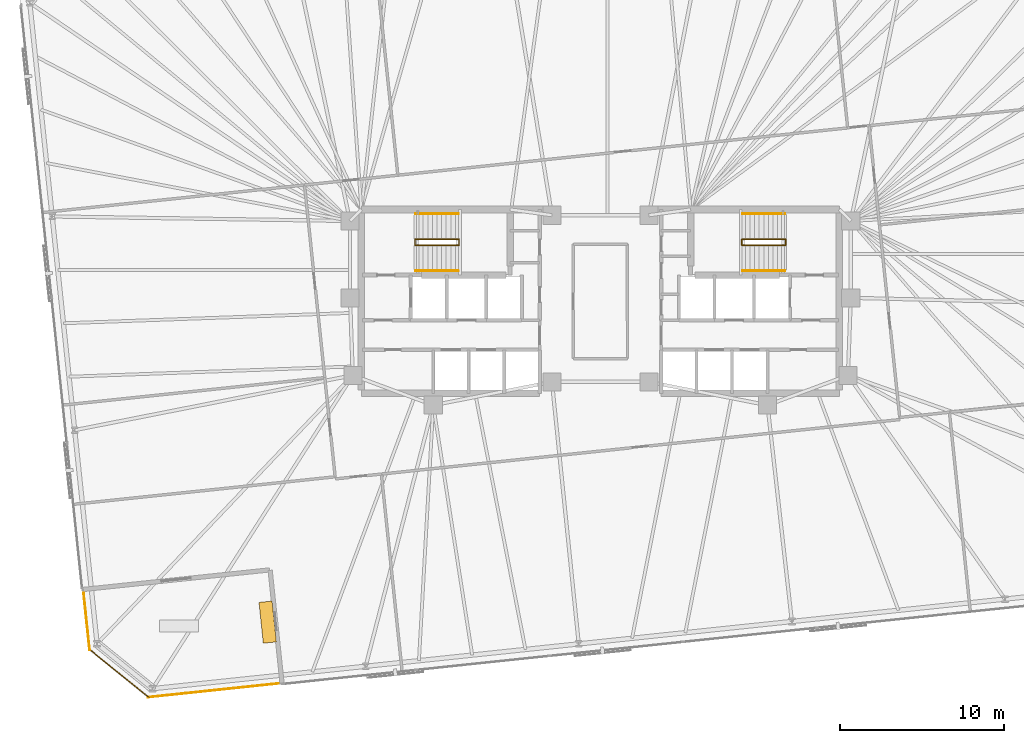
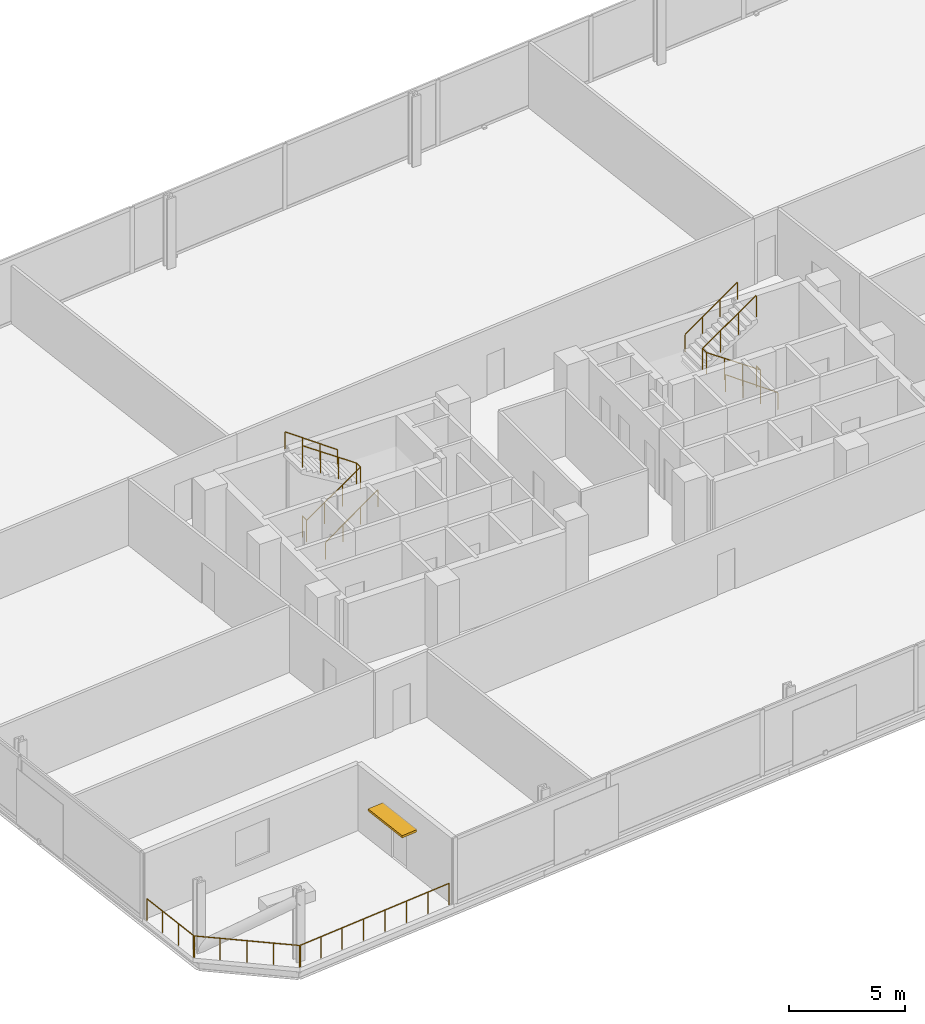
# One storey, part 18 of 18: 9 railings, 1 shading device.
"""IFC4 building model written with IfcOpenShell, lengths in metres."""

from ifc_helpers import new_model, si_unit, direction, frame, origin, origin_2d, place, context, subcontext, project, spatial, rectangle, circle, extrude, material, layer, layer_set, type_object, element, save


model = new_model("IFC4")

# Units and contexts
model_context = context("Model", 3, precision=1e-05, world=origin(), true_north=direction((0.0, 1.0)))
body_context = subcontext(model_context, "Body", "Model", "MODEL_VIEW")
ifc_project = project(units=[si_unit("LENGTHUNIT", "METRE"), si_unit("AREAUNIT", "SQUARE_METRE"), si_unit("VOLUMEUNIT", "CUBIC_METRE"), si_unit("PLANEANGLEUNIT", "RADIAN"), si_unit("MASSUNIT", "GRAM", prefix="KILO")], contexts=[model_context])

# Site, building, storey
site_placement = place(None, origin())
site = spatial("IfcSite", under=ifc_project, at=site_placement, CompositionType="ELEMENT")
building_placement = place(site_placement, origin())
building = spatial("IfcBuilding", under=site, at=building_placement, Name="Menara Jurai Vektor", CompositionType="ELEMENT")
storey_placement = place(building_placement, frame((0.0, 0.0, 113.300048828125)))
storey = spatial("IfcBuildingStorey", under=building, at=storey_placement, Name="L28", CompositionType="ELEMENT", Elevation=113.300048828125)

# Railings
ifc_material_1 = material(Name="Anodised Pale Aluminium & Laminated Glass Guardrail", Category="aluminium")
ifc_layer = layer(ifc_material_1, 0.070068359375)
ifc_layer_set = layer_set([ifc_layer], Name="Anodised Pale Aluminium & Laminated Glass Guardrail")
railing_type_1 = type_object("IfcRailingType", Name="ENV-RAIL-TER115", PredefinedType="GUARDRAIL", material=ifc_layer_set)
railing_1_placement = place(storey_placement, frame((-31.47021484375, -17.7626953125, 0.0)))
element("IfcRailing", 1, at=railing_1_placement, inside=storey, type_object=railing_type_1, Name="Spiral Terrace Guardrail L28-CRN-01", PredefinedType="GUARDRAIL", context=body_context, shape_type="SweptSolid", body=[
    extrude(circle(Radius=0.02392578125, at=origin_2d()), frame((0.0, 0.0, 1.1259765625), z_axis=(0.104531402636, -0.994521586424, 0.0), x_axis=(0.994521586424, 0.104531402636, 0.0)), (0.0, 0.0, 1.0), 3.47998046875),
    extrude(circle(Radius=0.02099609375, at=origin_2d()), origin(), (0.0, 0.0, 1.0), 1.101806640625),
    extrude(circle(Radius=0.02099609375, at=origin_2d()), frame((0.121337890625, -1.153564453125, 0.0)), (0.0, 0.0, 1.0), 1.101806640625),
    extrude(circle(Radius=0.02099609375, at=origin_2d()), frame((0.242431640625, -2.307373046875, 0.0)), (0.0, 0.0, 1.0), 1.101806640625),
    extrude(circle(Radius=0.02099609375, at=origin_2d()), frame((0.36376953125, -3.4609375, 0.0)), (0.0, 0.0, 1.0), 1.101806640625),
])
railing_2_placement = place(storey_placement, frame((-31.12841796875, -21.183349609375, 0.0)))
element("IfcRailing", 2, at=railing_2_placement, inside=storey, type_object=railing_type_1, Name="Spiral Terrace Guardrail L28-CRN-02", PredefinedType="GUARDRAIL", context=body_context, shape_type="SweptSolid", body=[
    extrude(circle(Radius=0.02392578125, at=origin_2d()), frame((0.0, 0.0, 1.1259765625), z_axis=(0.777175424635, -0.629284005313, 0.0), x_axis=(0.629284005313, 0.777175424635, 0.0)), (0.0, 0.0, 1.0), 4.666748046875),
    extrude(circle(Radius=0.02099609375, at=origin_2d()), origin(), (0.0, 0.0, 1.0), 1.101806640625),
    extrude(circle(Radius=0.02099609375, at=origin_2d()), frame((0.90673828125, -0.734130859375, 0.0)), (0.0, 0.0, 1.0), 1.101806640625),
    extrude(circle(Radius=0.02099609375, at=origin_2d()), frame((1.8134765625, -1.46826171875, 0.0)), (0.0, 0.0, 1.0), 1.101806640625),
    extrude(circle(Radius=0.02099609375, at=origin_2d()), frame((2.72021484375, -2.20263671875, 0.0)), (0.0, 0.0, 1.0), 1.101806640625),
    extrude(circle(Radius=0.02099609375, at=origin_2d()), frame((3.626953125, -2.936767578125, 0.0)), (0.0, 0.0, 1.0), 1.101806640625),
])
railing_3_placement = place(storey_placement, frame((-27.54541015625, -24.107177734375, 0.0)))
element("IfcRailing", 3, at=railing_3_placement, inside=storey, type_object=railing_type_1, Name="Spiral Terrace Guardrail L28-CRN-03", PredefinedType="GUARDRAIL", context=body_context, shape_type="SweptSolid", body=[
    extrude(circle(Radius=0.02392578125, at=origin_2d()), frame((0.0, 0.0, 1.1259765625), z_axis=(0.994520697476, 0.104539859823, 0.0), x_axis=(-0.104539859823, 0.994520697476, 0.0)), (0.0, 0.0, 1.0), 7.97998046875),
    extrude(circle(Radius=0.02099609375, at=origin_2d()), origin(), (0.0, 0.0, 1.0), 1.101806640625),
    extrude(circle(Radius=0.02099609375, at=origin_2d()), frame((1.1337890625, 0.119140625, 0.0)), (0.0, 0.0, 1.0), 1.101806640625),
    extrude(circle(Radius=0.02099609375, at=origin_2d()), frame((2.267578125, 0.23828125, 0.0)), (0.0, 0.0, 1.0), 1.101806640625),
    extrude(circle(Radius=0.02099609375, at=origin_2d()), frame((3.4013671875, 0.357421875, 0.0)), (0.0, 0.0, 1.0), 1.101806640625),
    extrude(circle(Radius=0.02099609375, at=origin_2d()), frame((4.534912109375, 0.476806640625, 0.0)), (0.0, 0.0, 1.0), 1.101806640625),
    extrude(circle(Radius=0.02099609375, at=origin_2d()), frame((5.668701171875, 0.595947265625, 0.0)), (0.0, 0.0, 1.0), 1.101806640625),
    extrude(circle(Radius=0.02099609375, at=origin_2d()), frame((6.802490234375, 0.715087890625, 0.0)), (0.0, 0.0, 1.0), 1.101806640625),
    extrude(circle(Radius=0.02099609375, at=origin_2d()), frame((7.936279296875, 0.834228515625, 0.0)), (0.0, 0.0, 1.0), 1.101806640625),
])

# Shading device
ifc_material_2 = material(Name="Anodised Pale Aluminium Sunshade Blade", Category="aluminium")
shading_device_type = type_object("IfcShadingDeviceType", Name="ENV-SHD-SUNSHADE", PredefinedType="USERDEFINED", material=ifc_material_2)
shading_device_placement = place(storey_placement, frame((-20.263671875, -19.533935546875, 2.33984375), z_axis=(0.0, 0.0, 1.0), x_axis=(0.104528463268, -0.994521895368, 0.0)))
element("IfcShadingDevice", 4, at=shading_device_placement, inside=storey, type_object=shading_device_type, Name="Doorway Pale-Metal Sunshade L28-TER", ObjectType="SUNSHADE", PredefinedType="USERDEFINED", context=body_context, shape_type="SweptSolid", body=[
    extrude(rectangle(XDim=2.5, YDim=0.800048828125, at=origin_2d()), origin(), (0.0, 0.0, 1.0), 0.1201171875),
])

# Railings
ifc_material_3 = material(Name="Painted Galvanised Steel Balustrade", Category="steel")
railing_type_2 = type_object("IfcRailingType", Name="RAIL-STAIR-GUARD", PredefinedType="GUARDRAIL", material=ifc_material_3)
railing_4_placement = place(storey_placement, frame((-11.2900390625, 3.780029296875, 0.0)))
element("IfcRailing", 5, at=railing_4_placement, inside=storey, type_object=railing_type_2, Name="ST1 Stair Guardrail 1 L28", PredefinedType="GUARDRAIL", context=body_context, shape_type="SweptSolid", body=[
    extrude(circle(Radius=0.02392578125, at=origin_2d()), frame((0.0, 0.0, 1.1259765625), z_axis=(0.0, -1.0, 0.0), x_axis=(1.0, 0.0, 0.0)), (0.0, 0.0, 1.0), 0.360107421875),
    extrude(circle(Radius=0.02392578125, at=origin_2d()), frame((0.0, -0.360107421875, 1.1259765625), z_axis=(0.822979520584, 0.0, 0.568071041948), x_axis=(0.0, 1.0, 0.0)), (0.0, 0.0, 1.0), 3.25634765625),
    extrude(circle(Radius=0.02392578125, at=origin_2d()), frame((2.679931640625, -0.360107421875, 2.9755859375), z_axis=(0.0, 1.0, 0.0), x_axis=(-1.0, 0.0, 0.0)), (0.0, 0.0, 1.0), 0.360107421875),
    extrude(circle(Radius=0.02392578125, at=origin_2d()), frame((2.679931640625, 0.0, 2.9755859375), z_axis=(-0.822944469782, 0.0, 0.568121817619), x_axis=(0.0, -1.0, 0.0)), (0.0, 0.0, 1.0), 3.256591796875),
    extrude(circle(Radius=0.02099609375, at=origin_2d()), origin(), (0.0, 0.0, 1.0), 1.101806640625),
    extrude(circle(Radius=0.02099609375, at=origin_2d()), frame((0.0, -0.360107421875, 0.0)), (0.0, 0.0, 1.0), 1.101806640625),
    extrude(circle(Radius=0.02099609375, at=origin_2d()), frame((0.893310546875, -0.360107421875, 0.61669921875)), (0.0, 0.0, 1.0), 1.101806640625),
    extrude(circle(Radius=0.02099609375, at=origin_2d()), frame((1.78662109375, -0.360107421875, 1.233154296875)), (0.0, 0.0, 1.0), 1.101806640625),
    extrude(circle(Radius=0.02099609375, at=origin_2d()), frame((2.679931640625, -0.360107421875, 1.849853515625)), (0.0, 0.0, 1.0), 1.101806640625),
    extrude(circle(Radius=0.02099609375, at=origin_2d()), frame((2.679931640625, 0.0, 1.849853515625)), (0.0, 0.0, 1.0), 1.101806640625),
    extrude(circle(Radius=0.02099609375, at=origin_2d()), frame((1.78662109375, 0.0, 2.466552734375)), (0.0, 0.0, 1.0), 1.101806640625),
    extrude(circle(Radius=0.02099609375, at=origin_2d()), frame((0.893310546875, 0.0, 3.083251953125)), (0.0, 0.0, 1.0), 1.101806640625),
    extrude(circle(Radius=0.02099609375, at=origin_2d()), frame((0.0, 0.0, 3.699951171875)), (0.0, 0.0, 1.0), 1.101806640625),
])
railing_5_placement = place(storey_placement, frame((11.2900390625, 3.780029296875, 0.0)))
element("IfcRailing", 6, at=railing_5_placement, inside=storey, type_object=railing_type_2, Name="ST2 Stair Guardrail 1 L28", PredefinedType="GUARDRAIL", context=body_context, shape_type="SweptSolid", body=[
    extrude(circle(Radius=0.02392578125, at=origin_2d()), frame((0.0, 0.0, 1.1259765625), z_axis=(0.0, -1.0, 0.0), x_axis=(1.0, 0.0, 0.0)), (0.0, 0.0, 1.0), 0.360107421875),
    extrude(circle(Radius=0.02392578125, at=origin_2d()), frame((0.0, -0.360107421875, 1.1259765625), z_axis=(-0.822979520584, 0.0, 0.568071041948), x_axis=(0.0, -1.0, 0.0)), (0.0, 0.0, 1.0), 3.25634765625),
    extrude(circle(Radius=0.02392578125, at=origin_2d()), frame((-2.679931640625, -0.360107421875, 2.9755859375), z_axis=(0.0, 1.0, 0.0), x_axis=(-1.0, 0.0, 0.0)), (0.0, 0.0, 1.0), 0.360107421875),
    extrude(circle(Radius=0.02392578125, at=origin_2d()), frame((-2.679931640625, 0.0, 2.9755859375), z_axis=(0.822944469782, 0.0, 0.568121817619), x_axis=(0.0, 1.0, 0.0)), (0.0, 0.0, 1.0), 3.256591796875),
    extrude(circle(Radius=0.02099609375, at=origin_2d()), origin(), (0.0, 0.0, 1.0), 1.101806640625),
    extrude(circle(Radius=0.02099609375, at=origin_2d()), frame((0.0, -0.360107421875, 0.0)), (0.0, 0.0, 1.0), 1.101806640625),
    extrude(circle(Radius=0.02099609375, at=origin_2d()), frame((-0.893310546875, -0.360107421875, 0.61669921875)), (0.0, 0.0, 1.0), 1.101806640625),
    extrude(circle(Radius=0.02099609375, at=origin_2d()), frame((-1.78662109375, -0.360107421875, 1.233154296875)), (0.0, 0.0, 1.0), 1.101806640625),
    extrude(circle(Radius=0.02099609375, at=origin_2d()), frame((-2.679931640625, -0.360107421875, 1.849853515625)), (0.0, 0.0, 1.0), 1.101806640625),
    extrude(circle(Radius=0.02099609375, at=origin_2d()), frame((-2.679931640625, 0.0, 1.849853515625)), (0.0, 0.0, 1.0), 1.101806640625),
    extrude(circle(Radius=0.02099609375, at=origin_2d()), frame((-1.78662109375, 0.0, 2.466552734375)), (0.0, 0.0, 1.0), 1.101806640625),
    extrude(circle(Radius=0.02099609375, at=origin_2d()), frame((-0.893310546875, 0.0, 3.083251953125)), (0.0, 0.0, 1.0), 1.101806640625),
    extrude(circle(Radius=0.02099609375, at=origin_2d()), frame((0.0, 0.0, 3.699951171875)), (0.0, 0.0, 1.0), 1.101806640625),
])
ifc_material_4 = material(Name="Brushed Stainless Steel Handrail", Category="steel")
railing_type_3 = type_object("IfcRailingType", Name="RAIL-STAIR-HAND", PredefinedType="HANDRAIL", material=ifc_material_4)
railing_6_placement = place(storey_placement, frame((-11.25, 1.860107421875, 0.0)))
element("IfcRailing", 7, at=railing_6_placement, inside=storey, type_object=railing_type_3, Name="ST1 Stair Handrail 1 L28", PredefinedType="HANDRAIL", context=body_context, shape_type="SweptSolid", body=[
    extrude(circle(Radius=0.02392578125, at=origin_2d()), frame((0.0, 0.0, 0.89599609375), z_axis=(0.814822811145, 0.0, 0.579710088267), x_axis=(0.0, 1.0, 0.0)), (0.0, 0.0, 1.0), 3.19091796875),
    extrude(circle(Radius=0.02099609375, at=origin_2d()), origin(), (0.0, 0.0, 1.0), 0.871826171875),
    extrude(circle(Radius=0.02099609375, at=origin_2d()), frame((0.86669921875, 0.0, 0.61669921875)), (0.0, 0.0, 1.0), 0.871826171875),
    extrude(circle(Radius=0.02099609375, at=origin_2d()), frame((1.7333984375, 0.0, 1.233154296875)), (0.0, 0.0, 1.0), 0.871826171875),
    extrude(circle(Radius=0.02099609375, at=origin_2d()), frame((2.60009765625, 0.0, 1.849853515625)), (0.0, 0.0, 1.0), 0.871826171875),
])
railing_7_placement = place(storey_placement, frame((-8.64990234375, 5.340087890625, 1.849853515625)))
element("IfcRailing", 8, at=railing_7_placement, inside=storey, type_object=railing_type_3, Name="ST1 Stair Handrail 2 L28", PredefinedType="HANDRAIL", context=body_context, shape_type="SweptSolid", body=[
    extrude(circle(Radius=0.02392578125, at=origin_2d()), frame((0.0, 0.0, 0.89599609375), z_axis=(-0.814786671209, 0.0, 0.579760882106), x_axis=(0.0, -1.0, 0.0)), (0.0, 0.0, 1.0), 3.191162109375),
    extrude(circle(Radius=0.02099609375, at=origin_2d()), origin(), (0.0, 0.0, 1.0), 0.871826171875),
    extrude(circle(Radius=0.02099609375, at=origin_2d()), frame((-0.86669921875, 0.0, 0.61669921875)), (0.0, 0.0, 1.0), 0.871826171875),
    extrude(circle(Radius=0.02099609375, at=origin_2d()), frame((-1.7333984375, 0.0, 1.2333984375)), (0.0, 0.0, 1.0), 0.871826171875),
    extrude(circle(Radius=0.02099609375, at=origin_2d()), frame((-2.60009765625, 0.0, 1.85009765625)), (0.0, 0.0, 1.0), 0.871826171875),
])
railing_8_placement = place(storey_placement, frame((11.25, 1.860107421875, 0.0)))
element("IfcRailing", 9, at=railing_8_placement, inside=storey, type_object=railing_type_3, Name="ST2 Stair Handrail 1 L28", PredefinedType="HANDRAIL", context=body_context, shape_type="SweptSolid", body=[
    extrude(circle(Radius=0.02392578125, at=origin_2d()), frame((0.0, 0.0, 0.89599609375), z_axis=(-0.814822811145, 0.0, 0.579710088267), x_axis=(0.0, -1.0, 0.0)), (0.0, 0.0, 1.0), 3.19091796875),
    extrude(circle(Radius=0.02099609375, at=origin_2d()), origin(), (0.0, 0.0, 1.0), 0.871826171875),
    extrude(circle(Radius=0.02099609375, at=origin_2d()), frame((-0.86669921875, 0.0, 0.61669921875)), (0.0, 0.0, 1.0), 0.871826171875),
    extrude(circle(Radius=0.02099609375, at=origin_2d()), frame((-1.7333984375, 0.0, 1.233154296875)), (0.0, 0.0, 1.0), 0.871826171875),
    extrude(circle(Radius=0.02099609375, at=origin_2d()), frame((-2.60009765625, 0.0, 1.849853515625)), (0.0, 0.0, 1.0), 0.871826171875),
])
railing_9_placement = place(storey_placement, frame((8.64990234375, 5.340087890625, 1.849853515625)))
element("IfcRailing", 10, at=railing_9_placement, inside=storey, type_object=railing_type_3, Name="ST2 Stair Handrail 2 L28", PredefinedType="HANDRAIL", context=body_context, shape_type="SweptSolid", body=[
    extrude(circle(Radius=0.02392578125, at=origin_2d()), frame((0.0, 0.0, 0.89599609375), z_axis=(0.814786671209, 0.0, 0.579760882106), x_axis=(0.0, 1.0, 0.0)), (0.0, 0.0, 1.0), 3.191162109375),
    extrude(circle(Radius=0.02099609375, at=origin_2d()), origin(), (0.0, 0.0, 1.0), 0.871826171875),
    extrude(circle(Radius=0.02099609375, at=origin_2d()), frame((0.86669921875, 0.0, 0.61669921875)), (0.0, 0.0, 1.0), 0.871826171875),
    extrude(circle(Radius=0.02099609375, at=origin_2d()), frame((1.7333984375, 0.0, 1.2333984375)), (0.0, 0.0, 1.0), 0.871826171875),
    extrude(circle(Radius=0.02099609375, at=origin_2d()), frame((2.60009765625, 0.0, 1.85009765625)), (0.0, 0.0, 1.0), 0.871826171875),
])

save(model, "model.ifc")
